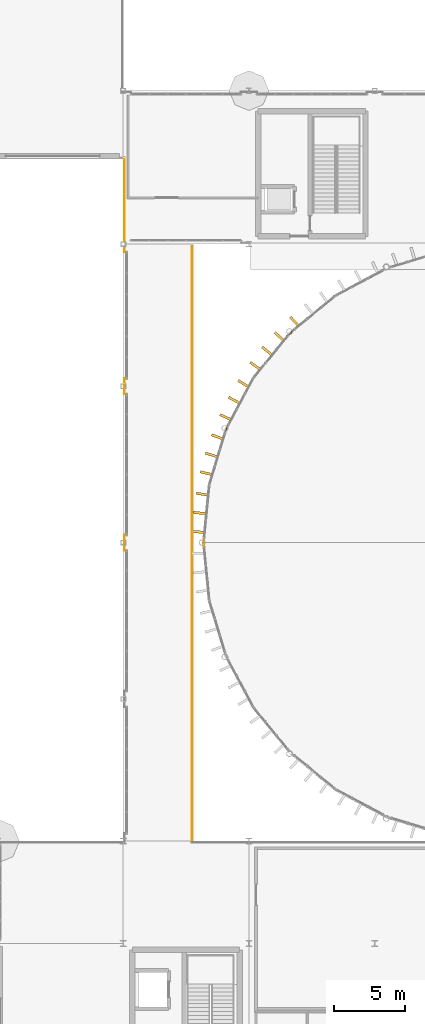
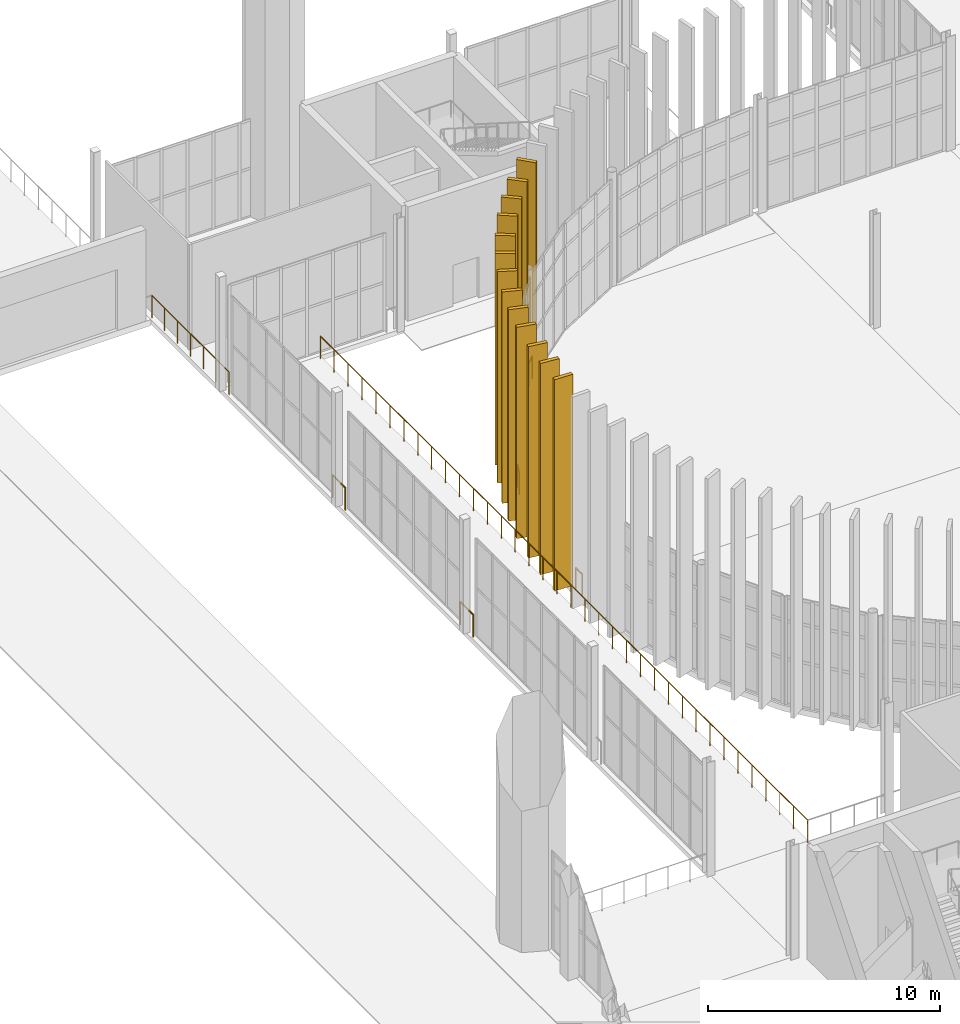
# One storey, part 123 of 139: 13 coverings, 7 railings.
"""IFC4 building model written with IfcOpenShell, lengths in metres."""

from ifc_helpers import new_model, si_unit, direction, frame, origin, origin_2d, place, context, subcontext, project, spatial, rectangle, circle, extrude, material, layer, layer_set, type_object, element, save


model = new_model("IFC4")

# Units and contexts
model_context = context("Model", 3, precision=1e-05, world=origin(), true_north=direction((0.0, 1.0)))
body_context = subcontext(model_context, "Body", "Model", "MODEL_VIEW")
ifc_project = project(units=[si_unit("LENGTHUNIT", "METRE"), si_unit("AREAUNIT", "SQUARE_METRE"), si_unit("VOLUMEUNIT", "CUBIC_METRE"), si_unit("PLANEANGLEUNIT", "RADIAN"), si_unit("MASSUNIT", "GRAM", prefix="KILO")], contexts=[model_context])

# Site, building, storey
site_placement = place(None, origin())
site = spatial("IfcSite", under=ifc_project, at=site_placement, CompositionType="ELEMENT")
building_placement = place(site_placement, origin())
building = spatial("IfcBuilding", under=site, at=building_placement, Name="Yeouljin Market Hall", CompositionType="ELEMENT")
storey_placement = place(building_placement, origin())
storey = spatial("IfcBuildingStorey", under=building, at=storey_placement, Name="L00", CompositionType="ELEMENT", Elevation=0.0)

# Coverings
ifc_material_1 = material(Name="White Limestone and Bronze Solar Fin", Category="masonry")
ifc_layer = layer(ifc_material_1, 0.179931640625)
ifc_layer_set = layer_set([ifc_layer], Name="White Limestone and Bronze Solar Fin")
covering_type = type_object("IfcCoveringType", Name="Covering_Limestone_SolarFin", PredefinedType="CLADDING", material=ifc_layer_set)
for number, where, z_axis, x_axis, name in (
    (1, (14.1533203125, 57.751220703125, 0.0), (0.0, 0.0, 1.0), (-0.999372416692, 0.035422771708, 0.0), "Apse radial vertical lantern fin west 114"),
    (2, (14.242431640625, 59.083740234375, 0.0), (0.0, 0.0, 1.0), (-0.995193276492, 0.097930293706, 0.0), "Apse radial vertical lantern fin west 115"),
    (3, (14.4150390625, 60.408203125, 0.0), (0.0, 0.0, 1.0), (-0.987052416168, 0.160398029092, 0.0), "Apse radial vertical lantern fin west 116"),
    (4, (14.7080078125, 61.8818359375, 0.0), (0.0, 0.0, 1.0), (-0.973259115993, 0.229710019669, 0.0), "Apse radial vertical lantern fin west 117"),
    (5, (15.055419921875, 63.17138671875, 0.0), (0.0, 0.0, 1.0), (-0.956914999972, 0.290368184947, 0.0), "Apse radial vertical lantern fin west 118"),
    (6, (15.483154296875, 64.436767578125, 0.0), (0.0, 0.0, 1.0), (-0.936855428999, 0.349716892865, 0.0), "Apse radial vertical lantern fin west 119"),
    (7, (16.05810546875, 65.82470703125, 0.0), (0.0, 0.0, 1.0), (-0.909744013277, 0.415169640396, 0.0), "Apse radial vertical lantern fin west 120"),
    (8, (16.650390625, 67.02197265625, 0.0), (0.0, 0.0, 1.0), (-0.881962398116, 0.471319772882, 0.0), "Apse radial vertical lantern fin west 121"),
    (9, (17.316650390625, 68.179443359375, 0.0), (0.0, 0.0, 1.0), (-0.850535856496, 0.525917062677, 0.0), "Apse radial vertical lantern fin west 122"),
    (10, (18.1513671875, 69.4287109375, 0.0), (0.0, 0.0, 1.0), (-0.811369990919, 0.584532922799, 0.0), "Apse radial vertical lantern fin west 123"),
    (11, (18.9658203125, 70.4873046875, 0.0), (0.0, 0.0, 1.0), (-0.772955089162, 0.634460739636, 0.0), "Apse radial vertical lantern fin west 124"),
    (12, (19.84521484375, 71.492431640625, 0.0), (0.0, 0.0, 1.0), (-0.731710694857, 0.68161533069, 0.0), "Apse radial vertical lantern fin west 125"),
    (13, (20.907470703125, 72.554931640625, 0.0), (0.0, 0.0, 1.0), (-0.68161533069, 0.731710694857, 0.0), "Apse radial vertical lantern fin west 126"),
):
    element("IfcCovering", number, at=place(storey_placement, frame(where, z_axis=z_axis, x_axis=x_axis)), inside=storey, type_object=covering_type, Name=name, PredefinedType="CLADDING", context=body_context, shape_type="SweptSolid", body=[
        extrude(rectangle(XDim=0.8798828125, YDim=0.179931640625, at=origin_2d()), origin(), (0.0, 0.0, 1.0), 11.10009765625),
    ])

# Railings
ifc_material_2 = material(Name="Wrought Iron and Bronze Gallery Balustrade")
railing_type = type_object("IfcRailingType", Name="Railing_AtriumBalustrade_1200", PredefinedType="BALUSTRADE", material=ifc_material_2)
railing_1_placement = place(storey_placement, frame((14.528076171875, 56.719482421875, 0.0)))
element("IfcRailing", 14, at=railing_1_placement, inside=storey, type_object=railing_type, Name="Gallery & deck edge balustrade L00-012", PredefinedType="BALUSTRADE", context=body_context, shape_type="SweptSolid", body=[
    extrude(circle(Radius=0.02392578125, at=origin_2d()), frame((0.0, 0.0, 1.17578125), z_axis=(0.0, 1.0, 0.0), x_axis=(-1.0, 0.0, 0.0)), (0.0, 0.0, 1.0), 0.56103515625),
    extrude(circle(Radius=0.02099609375, at=origin_2d()), origin(), (0.0, 0.0, 1.0), 1.15185546875),
    extrude(circle(Radius=0.02099609375, at=origin_2d()), frame((0.0, 0.56103515625, 0.0)), (0.0, 0.0, 1.0), 1.15185546875),
])
railing_2_placement = place(storey_placement, frame((16.009521484375, 64.72802734375, 0.0)))
element("IfcRailing", 15, at=railing_2_placement, inside=storey, type_object=railing_type, Name="Gallery & deck edge balustrade L00-013", PredefinedType="BALUSTRADE", context=body_context, shape_type="SweptSolid", body=[
    extrude(circle(Radius=0.02392578125, at=origin_2d()), frame((0.0, 0.0, 1.17578125), z_axis=(0.382390216249, 0.924000932097, 0.0), x_axis=(-0.924000932097, 0.382390216249, 0.0)), (0.0, 0.0, 1.0), 0.561279296875),
    extrude(circle(Radius=0.02099609375, at=origin_2d()), origin(), (0.0, 0.0, 1.0), 1.15185546875),
    extrude(circle(Radius=0.02099609375, at=origin_2d()), frame((0.214599609375, 0.5185546875, 0.0)), (0.0, 0.0, 1.0), 1.15185546875),
])
railing_3_placement = place(storey_placement, frame((20.443115234375, 71.560302734375, 0.0)))
element("IfcRailing", 16, at=railing_3_placement, inside=storey, type_object=railing_type, Name="Gallery & deck edge balustrade L00-014", PredefinedType="BALUSTRADE", context=body_context, shape_type="SweptSolid", body=[
    extrude(circle(Radius=0.02392578125, at=origin_2d()), frame((0.0, 0.0, 1.17578125), z_axis=(0.706889109421, 0.707324385966, 0.0), x_axis=(-0.707324385966, 0.706889109421, 0.0)), (0.0, 0.0, 1.0), 0.560791015625),
    extrude(circle(Radius=0.02099609375, at=origin_2d()), origin(), (0.0, 0.0, 1.0), 1.15185546875),
    extrude(circle(Radius=0.02099609375, at=origin_2d()), frame((0.396484375, 0.396728515625, 0.0)), (0.0, 0.0, 1.0), 1.15185546875),
])
for number, where, name in (
    (17, (8.949951171875, 56.449951171875, 0.0), "Gallery & deck edge balustrade L00-045"),
    (18, (8.949951171875, 67.449951171875, 0.0), "Gallery & deck edge balustrade L00-046"),
):
    element("IfcRailing", number, at=place(storey_placement, frame(where)), inside=storey, type_object=railing_type, Name=name, PredefinedType="BALUSTRADE", context=body_context, shape_type="SweptSolid", body=[
        extrude(circle(Radius=0.02392578125, at=origin_2d()), frame((0.0, 0.0, 1.17578125), z_axis=(0.0, 1.0, 0.0), x_axis=(-1.0, 0.0, 0.0)), (0.0, 0.0, 1.0), 1.10009765625),
        extrude(circle(Radius=0.02099609375, at=origin_2d()), origin(), (0.0, 0.0, 1.0), 1.15185546875),
        extrude(circle(Radius=0.02099609375, at=origin_2d()), frame((0.0, 1.10009765625, 0.0)), (0.0, 0.0, 1.0), 1.15185546875),
    ])
railing_4_placement = place(storey_placement, frame((8.949951171875, 77.449951171875, 0.0)))
element("IfcRailing", 19, at=railing_4_placement, inside=storey, type_object=railing_type, Name="Gallery & deck edge balustrade L00-047", PredefinedType="BALUSTRADE", context=body_context, shape_type="SweptSolid", body=[
    extrude(circle(Radius=0.02392578125, at=origin_2d()), frame((0.0, 0.0, 1.17578125), z_axis=(0.0, 1.0, 0.0), x_axis=(-1.0, 0.0, 0.0)), (0.0, 0.0, 1.0), 6.650146484375),
    extrude(circle(Radius=0.02099609375, at=origin_2d()), origin(), (0.0, 0.0, 1.0), 1.15185546875),
    extrude(circle(Radius=0.02099609375, at=origin_2d()), frame((0.0, 1.1083984375, 0.0)), (0.0, 0.0, 1.0), 1.15185546875),
    extrude(circle(Radius=0.02099609375, at=origin_2d()), frame((0.0, 2.216796875, 0.0)), (0.0, 0.0, 1.0), 1.15185546875),
    extrude(circle(Radius=0.02099609375, at=origin_2d()), frame((0.0, 3.3251953125, 0.0)), (0.0, 0.0, 1.0), 1.15185546875),
    extrude(circle(Radius=0.02099609375, at=origin_2d()), frame((0.0, 4.433349609375, 0.0)), (0.0, 0.0, 1.0), 1.15185546875),
    extrude(circle(Radius=0.02099609375, at=origin_2d()), frame((0.0, 5.541748046875, 0.0)), (0.0, 0.0, 1.0), 1.15185546875),
    extrude(circle(Radius=0.02099609375, at=origin_2d()), frame((0.0, 6.650146484375, 0.0)), (0.0, 0.0, 1.0), 1.15185546875),
])
railing_5_placement = place(storey_placement, frame((13.699951171875, 77.830078125, 0.0)))
element("IfcRailing", 20, at=railing_5_placement, inside=storey, type_object=railing_type, Name="Gallery & deck edge balustrade L00-056", PredefinedType="BALUSTRADE", context=body_context, shape_type="SweptSolid", body=[
    extrude(circle(Radius=0.02392578125, at=origin_2d()), frame((0.0, 0.0, 1.17578125), z_axis=(0.0, -1.0, 0.0), x_axis=(1.0, 0.0, 0.0)), (0.0, 0.0, 1.0), 41.93017578125),
    extrude(circle(Radius=0.02099609375, at=origin_2d()), origin(), (0.0, 0.0, 1.0), 1.15185546875),
    extrude(circle(Radius=0.02099609375, at=origin_2d()), frame((0.0, -1.197998046875, 0.0)), (0.0, 0.0, 1.0), 1.15185546875),
    extrude(circle(Radius=0.02099609375, at=origin_2d()), frame((0.0, -2.39599609375, 0.0)), (0.0, 0.0, 1.0), 1.15185546875),
    extrude(circle(Radius=0.02099609375, at=origin_2d()), frame((0.0, -3.593994140625, 0.0)), (0.0, 0.0, 1.0), 1.15185546875),
    extrude(circle(Radius=0.02099609375, at=origin_2d()), frame((0.0, -4.7919921875, 0.0)), (0.0, 0.0, 1.0), 1.15185546875),
    extrude(circle(Radius=0.02099609375, at=origin_2d()), frame((0.0, -5.989990234375, 0.0)), (0.0, 0.0, 1.0), 1.15185546875),
    extrude(circle(Radius=0.02099609375, at=origin_2d()), frame((0.0, -7.18798828125, 0.0)), (0.0, 0.0, 1.0), 1.15185546875),
    extrude(circle(Radius=0.02099609375, at=origin_2d()), frame((0.0, -8.385986328125, 0.0)), (0.0, 0.0, 1.0), 1.15185546875),
    extrude(circle(Radius=0.02099609375, at=origin_2d()), frame((0.0, -9.583984375, 0.0)), (0.0, 0.0, 1.0), 1.15185546875),
    extrude(circle(Radius=0.02099609375, at=origin_2d()), frame((0.0, -10.781982421875, 0.0)), (0.0, 0.0, 1.0), 1.15185546875),
    extrude(circle(Radius=0.02099609375, at=origin_2d()), frame((0.0, -11.97998046875, 0.0)), (0.0, 0.0, 1.0), 1.15185546875),
    extrude(circle(Radius=0.02099609375, at=origin_2d()), frame((0.0, -13.177978515625, 0.0)), (0.0, 0.0, 1.0), 1.15185546875),
    extrude(circle(Radius=0.02099609375, at=origin_2d()), frame((0.0, -14.3759765625, 0.0)), (0.0, 0.0, 1.0), 1.15185546875),
    extrude(circle(Radius=0.02099609375, at=origin_2d()), frame((0.0, -15.573974609375, 0.0)), (0.0, 0.0, 1.0), 1.15185546875),
    extrude(circle(Radius=0.02099609375, at=origin_2d()), frame((0.0, -16.77197265625, 0.0)), (0.0, 0.0, 1.0), 1.15185546875),
    extrude(circle(Radius=0.02099609375, at=origin_2d()), frame((0.0, -17.969970703125, 0.0)), (0.0, 0.0, 1.0), 1.15185546875),
    extrude(circle(Radius=0.02099609375, at=origin_2d()), frame((0.0, -19.16796875, 0.0)), (0.0, 0.0, 1.0), 1.15185546875),
    extrude(circle(Radius=0.02099609375, at=origin_2d()), frame((0.0, -20.365966796875, 0.0)), (0.0, 0.0, 1.0), 1.15185546875),
    extrude(circle(Radius=0.02099609375, at=origin_2d()), frame((0.0, -21.564208984375, 0.0)), (0.0, 0.0, 1.0), 1.15185546875),
    extrude(circle(Radius=0.02099609375, at=origin_2d()), frame((0.0, -22.76220703125, 0.0)), (0.0, 0.0, 1.0), 1.15185546875),
    extrude(circle(Radius=0.02099609375, at=origin_2d()), frame((0.0, -23.960205078125, 0.0)), (0.0, 0.0, 1.0), 1.15185546875),
    extrude(circle(Radius=0.02099609375, at=origin_2d()), frame((0.0, -25.158203125, 0.0)), (0.0, 0.0, 1.0), 1.15185546875),
    extrude(circle(Radius=0.02099609375, at=origin_2d()), frame((0.0, -26.356201171875, 0.0)), (0.0, 0.0, 1.0), 1.15185546875),
    extrude(circle(Radius=0.02099609375, at=origin_2d()), frame((0.0, -27.55419921875, 0.0)), (0.0, 0.0, 1.0), 1.15185546875),
    extrude(circle(Radius=0.02099609375, at=origin_2d()), frame((0.0, -28.752197265625, 0.0)), (0.0, 0.0, 1.0), 1.15185546875),
    extrude(circle(Radius=0.02099609375, at=origin_2d()), frame((0.0, -29.9501953125, 0.0)), (0.0, 0.0, 1.0), 1.15185546875),
    extrude(circle(Radius=0.02099609375, at=origin_2d()), frame((0.0, -31.148193359375, 0.0)), (0.0, 0.0, 1.0), 1.15185546875),
    extrude(circle(Radius=0.02099609375, at=origin_2d()), frame((0.0, -32.34619140625, 0.0)), (0.0, 0.0, 1.0), 1.15185546875),
    extrude(circle(Radius=0.02099609375, at=origin_2d()), frame((0.0, -33.544189453125, 0.0)), (0.0, 0.0, 1.0), 1.15185546875),
    extrude(circle(Radius=0.02099609375, at=origin_2d()), frame((0.0, -34.7421875, 0.0)), (0.0, 0.0, 1.0), 1.15185546875),
    extrude(circle(Radius=0.02099609375, at=origin_2d()), frame((0.0, -35.940185546875, 0.0)), (0.0, 0.0, 1.0), 1.15185546875),
    extrude(circle(Radius=0.02099609375, at=origin_2d()), frame((0.0, -37.13818359375, 0.0)), (0.0, 0.0, 1.0), 1.15185546875),
    extrude(circle(Radius=0.02099609375, at=origin_2d()), frame((0.0, -38.336181640625, 0.0)), (0.0, 0.0, 1.0), 1.15185546875),
    extrude(circle(Radius=0.02099609375, at=origin_2d()), frame((0.0, -39.5341796875, 0.0)), (0.0, 0.0, 1.0), 1.15185546875),
    extrude(circle(Radius=0.02099609375, at=origin_2d()), frame((0.0, -40.732177734375, 0.0)), (0.0, 0.0, 1.0), 1.15185546875),
    extrude(circle(Radius=0.02099609375, at=origin_2d()), frame((0.0, -41.93017578125, 0.0)), (0.0, 0.0, 1.0), 1.15185546875),
])

save(model, "model.ifc")
